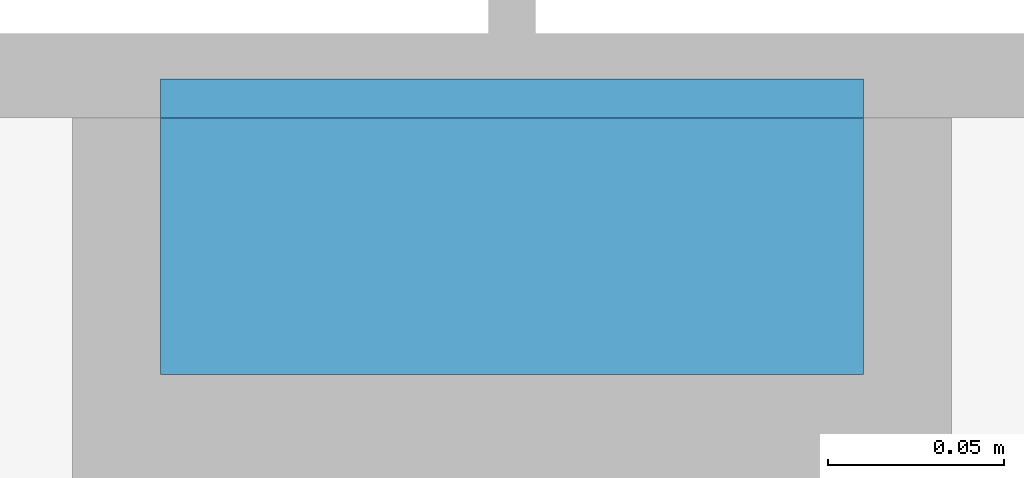
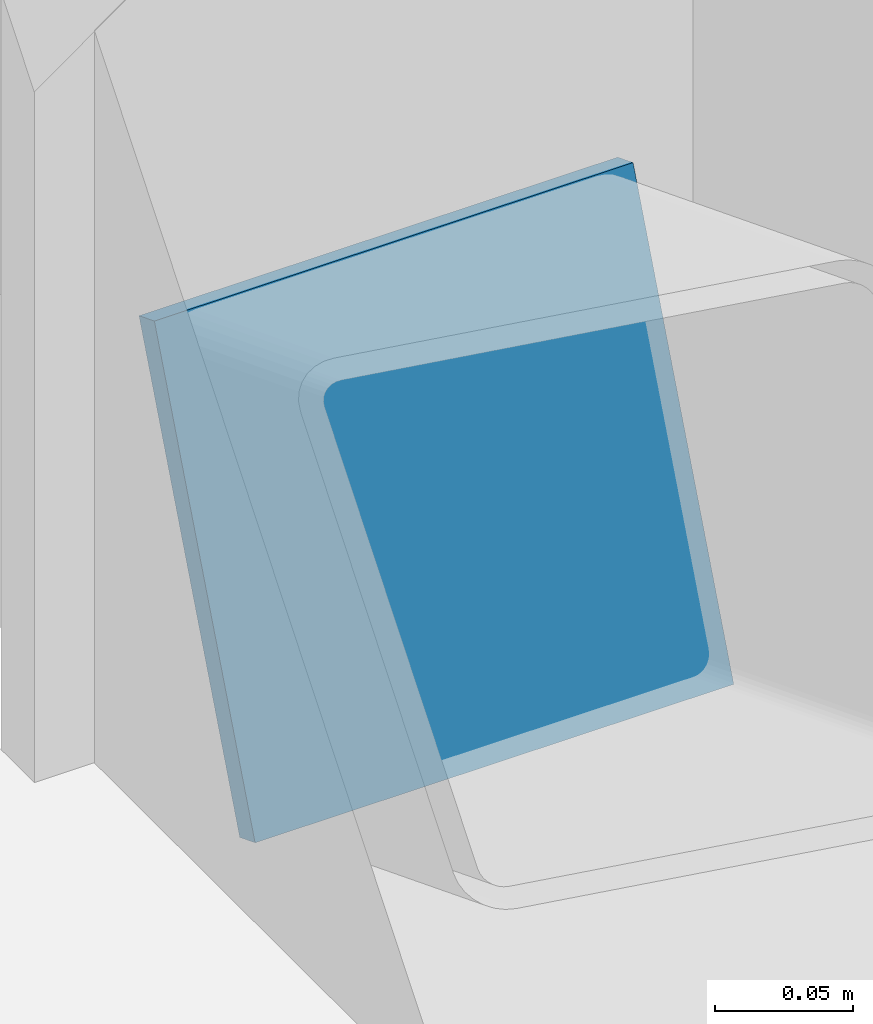
# One storey, part 139 of 170: 1 discrete accessory.
"""IFC4 building model written with IfcOpenShell, lengths in metres."""

import ifcopenshell
import ifcopenshell.guid

model = None  # the IFC model being written
_history = None  # IfcOwnerHistory: only IFC2X3 demands one
_inside = {}  # id of a spatial element -> (the spatial element, [elements in it])
_under = {}  # id of a project, library or spatial element -> (it, [spatial elements below it])
_declared = {}  # id of a project -> (the project, [libraries it declares])
_typed = {}  # id of a type object -> (the type object, [elements of that type])
_made_of = {}  # id of a material, layer set ... -> (it, [elements and type objects made of it])


def new_model(schema):
    """Start an empty IFC model of exactly this schema.

    Asked for "IFC4X3", IfcOpenShell would pick the latest addendum, in which some entities
    have other attributes; the version numbers below select the first issue.
    IFC2X3 requires an IfcOwnerHistory on every rooted entity: one is made here for all.
    """
    global model, _history
    if schema == "IFC4X3":
        model = ifcopenshell.file(schema_version=(4, 3, 0, 0))
    else:
        model = ifcopenshell.file(schema=schema)
    _inside.clear()
    _under.clear()
    _declared.clear()
    _typed.clear()
    _made_of.clear()
    _history = None
    if model.schema == "IFC2X3":
        org = make("IfcOrganization", Name="unknown")
        user = make(
            "IfcPersonAndOrganization",
            ThePerson=make("IfcPerson", FamilyName="unknown"),
            TheOrganization=org,
        )
        app = make(
            "IfcApplication",
            ApplicationDeveloper=org,
            Version="unknown",
            ApplicationFullName="unknown",
            ApplicationIdentifier="unknown",
        )
        _history = make(
            "IfcOwnerHistory",
            OwningUser=user,
            OwningApplication=app,
            ChangeAction="ADDED",
            CreationDate=0,
        )
    return model


def make(cls, **values):
    """One entity of the class cls with the attributes given. An attribute that is None is left unset."""
    return model.create_entity(
        cls, **{name: value for name, value in values.items() if value is not None}
    )


def rooted(cls, **values):
    """An entity with a GlobalId (a new one), such as an element, a storey or a relation."""
    return make(cls, GlobalId=ifcopenshell.guid.new(), OwnerHistory=_history, **values)


def si_unit(unit_type, name, prefix=None):
    """IfcSIUnit, for example si_unit("LENGTHUNIT", "METRE", prefix="MILLI")."""
    return make("IfcSIUnit", UnitType=unit_type, Prefix=prefix, Name=name)


def assignment(units):
    """IfcUnitAssignment: the units of a project."""
    return None if units is None else make("IfcUnitAssignment", Units=units)


def point(xyz):
    """IfcCartesianPoint."""
    return None if xyz is None else make("IfcCartesianPoint", Coordinates=xyz)


def direction(xyz):
    """IfcDirection."""
    return None if xyz is None else make("IfcDirection", DirectionRatios=xyz)


def frame(location, z_axis=None, x_axis=None):
    """IfcAxis2Placement3D, a coordinate frame: its origin and axes. An axis left out is left unset."""
    return make(
        "IfcAxis2Placement3D",
        Location=point(location),
        Axis=direction(z_axis),
        RefDirection=direction(x_axis),
    )


def frame_2d(location, x_axis=None):
    """IfcAxis2Placement2D, a coordinate frame in the plane: its origin and x axis."""
    return make(
        "IfcAxis2Placement2D", Location=point(location), RefDirection=direction(x_axis)
    )


def origin():
    """The frame at (0, 0, 0) with its axes left unset."""
    return frame((0.0, 0.0, 0.0))


def origin_2d():
    """The frame at (0, 0) in the plane with its x axis left unset."""
    return frame_2d((0.0, 0.0))


def place(relative_to, where):
    """IfcLocalPlacement: puts the frame where relative to a parent placement (None: the world)."""
    return make(
        "IfcLocalPlacement", PlacementRelTo=relative_to, RelativePlacement=where
    )


def context(
    kind, dimensions, precision=None, world=None, true_north=None, identifier=None
):
    """IfcGeometricRepresentationContext, for example the 3D "Model" context."""
    return make(
        "IfcGeometricRepresentationContext",
        ContextIdentifier=identifier,
        ContextType=kind,
        CoordinateSpaceDimension=dimensions,
        Precision=precision,
        WorldCoordinateSystem=world,
        TrueNorth=true_north,
    )


def subcontext(parent, identifier, kind, view, scale=None):
    """IfcGeometricRepresentationSubContext, for example "Body" below "Model"."""
    return make(
        "IfcGeometricRepresentationSubContext",
        ContextIdentifier=identifier,
        ContextType=kind,
        ParentContext=parent,
        TargetScale=scale,
        TargetView=view,
    )


def project(units=None, contexts=None):
    """IfcProject with its units and contexts."""
    return rooted(
        "IfcProject",
        Name="project",
        RepresentationContexts=contexts,
        UnitsInContext=assignment(units),
    )


def spatial(cls, under=None, at=None, **own):
    """A site, building, storey or space (cls), placed at a placement, below another one or the project."""
    s = rooted(cls, ObjectPlacement=at, **own)
    if under is not None:
        _under.setdefault(under.id(), (under, []))[1].append(s)
    return s


def profile(cls, at=None, kind="AREA", **sizes):
    """A parametric profile (cls). Its sizes go by their IFC names, for example OverallWidth=200.0."""
    return make(cls, ProfileType=kind, Position=at, **sizes)


def rectangle(**sizes):
    """IfcRectangleProfileDef."""
    return profile("IfcRectangleProfileDef", **sizes)


def extrude(swept, where, along, depth):
    """IfcExtrudedAreaSolid: the profile swept, set in the frame where, extruded along a direction by depth."""
    return make(
        "IfcExtrudedAreaSolid",
        SweptArea=swept,
        Position=where,
        ExtrudedDirection=direction(along),
        Depth=depth,
    )


def shape(context_of_items, identifier, shape_type, items):
    """IfcShapeRepresentation: the items that make up one representation, for example the "Body"."""
    return make(
        "IfcShapeRepresentation",
        ContextOfItems=context_of_items,
        RepresentationIdentifier=identifier,
        RepresentationType=shape_type,
        Items=items,
    )


def material(Name=None, Category=None):
    """IfcMaterial."""
    return make("IfcMaterial", Name=Name, Category=Category)


def material_profile(
    of_material, cross_section, Name=None, Category=None, Priority=None
):
    """IfcMaterialProfile: a cross section and its material."""
    return make(
        "IfcMaterialProfile",
        Name=Name,
        Material=of_material,
        Profile=cross_section,
        Priority=Priority,
        Category=Category,
    )


def profile_set(profiles, Name=None, composite=None):
    """IfcMaterialProfileSet."""
    return make(
        "IfcMaterialProfileSet",
        Name=Name,
        MaterialProfiles=profiles,
        CompositeProfile=composite,
    )


def made_of(thing, what):
    """Note that an element or type object is made of a material, layer set ...; save() writes the relation."""
    if what is not None:
        _made_of.setdefault(what.id(), (what, []))[1].append(thing)
    return thing


def type_object(cls, material=None, **own):
    """A type object (cls), such as IfcWallType, which elements share."""
    return made_of(rooted(cls, **own), material)


def element(
    cls,
    number,
    at=None,
    inside=None,
    cuts=None,
    type_object=None,
    material=None,
    context=None,
    identifier="Body",
    shape_type=None,
    held_by="IfcProductDefinitionShape",
    body=None,
    shapes=None,
    **own,
):
    """One element of the class cls, such as IfcWall. Its Tag is "e" and its number.

    at: its placement. inside: the storey or other place that contains it. cuts: it is an
    opening in that element (IfcRelVoidsElement). A single representation is given by context,
    identifier, shape_type and body (its items); several are given by shapes. held_by: the class
    of the entity that holds the representations. save() writes the other relations.
    """
    e = rooted(cls, Tag="e%d" % number, ObjectPlacement=at, **own)
    if body is not None:
        shapes = [shape(context, identifier, shape_type, body)]
    if shapes is not None:
        e.Representation = make(held_by, Representations=shapes)
    if inside is not None:
        _inside.setdefault(inside.id(), (inside, []))[1].append(e)
    if cuts is not None:
        rooted(
            "IfcRelVoidsElement", RelatingBuildingElement=cuts, RelatedOpeningElement=e
        )
    if type_object is not None:
        _typed.setdefault(type_object.id(), (type_object, []))[1].append(e)
    return made_of(e, material)


def aggregate(whole, parts):
    """IfcRelAggregates: a whole, such as a stair, and the parts it consists of."""
    return rooted("IfcRelAggregates", RelatingObject=whole, RelatedObjects=parts)


def save(model, path):
    """Write the relations noted so far, then the file.

    IfcRelAggregates (storeys below a building ...), IfcRelContainedInSpatialStructure (elements
    in a storey), IfcRelDefinesByType, IfcRelAssociatesMaterial and IfcRelDeclares: one each for
    every whole, place, type object, material and project.
    """
    for whole, parts in _under.values():
        aggregate(whole, parts)
    for where, things in _inside.values():
        rooted(
            "IfcRelContainedInSpatialStructure",
            RelatedElements=things,
            RelatingStructure=where,
        )
    for kind, things in _typed.values():
        rooted("IfcRelDefinesByType", RelatedObjects=things, RelatingType=kind)
    for what, things in _made_of.values():
        rooted("IfcRelAssociatesMaterial", RelatedObjects=things, RelatingMaterial=what)
    for by, libraries in _declared.values():
        rooted("IfcRelDeclares", RelatingContext=by, RelatedDefinitions=libraries)
    model.write(path)


model = new_model("IFC4")

# Units and contexts
model_context = context("Model", 3, precision=1e-05, world=origin(), true_north=direction((0.0, 1.0)))
body_context = subcontext(model_context, "Body", "Model", "MODEL_VIEW")
ifc_project = project(units=[si_unit("LENGTHUNIT", "METRE"), si_unit("AREAUNIT", "SQUARE_METRE"), si_unit("VOLUMEUNIT", "CUBIC_METRE"), si_unit("PLANEANGLEUNIT", "RADIAN"), si_unit("MASSUNIT", "GRAM", prefix="KILO")], contexts=[model_context])

# Site, building, storey
site_placement = place(None, origin())
site = spatial("IfcSite", under=ifc_project, at=site_placement, CompositionType="ELEMENT")
building_placement = place(site_placement, origin())
building = spatial("IfcBuilding", under=site, at=building_placement, Name="Ravi Spectrum Wholesale Market", CompositionType="ELEMENT")
storey_placement = place(building_placement, frame((0.0, 0.0, 5.39990234375)))
storey = spatial("IfcBuildingStorey", under=building, at=storey_placement, Name="L01", CompositionType="ELEMENT", Elevation=5.39990234375)

# Discrete accessory
ifc_material = material(Name="Steel S355", Category="steel")
ifc_material_profile = material_profile(ifc_material, rectangle(XDim=0.199951171875, YDim=0.199951171875, at=origin_2d()))
ifc_profile_set = profile_set([ifc_material_profile], Name="Steel S355")
discrete_accessory_type = type_object("IfcDiscreteAccessoryType", Name="End plate SHS 200x200x8", PredefinedType="BRACKET", material=ifc_profile_set)
discrete_accessory_placement = place(storey_placement, frame((246.0, 53.763427734375, 0.09326171875), z_axis=(0.0, 0.931242779706, -0.364399348581), x_axis=(-1.0, 0.0, 0.0)))
element("IfcDiscreteAccessory", 1, at=discrete_accessory_placement, inside=storey, type_object=discrete_accessory_type, Name="End plate", PredefinedType="BRACKET", context=body_context, shape_type="SweptSolid", body=[
    extrude(rectangle(XDim=0.199951171875, YDim=0.199951171875, at=origin_2d()), origin(), (0.0, 0.0, 1.0), 0.011962890625),
])

save(model, "model.ifc")
